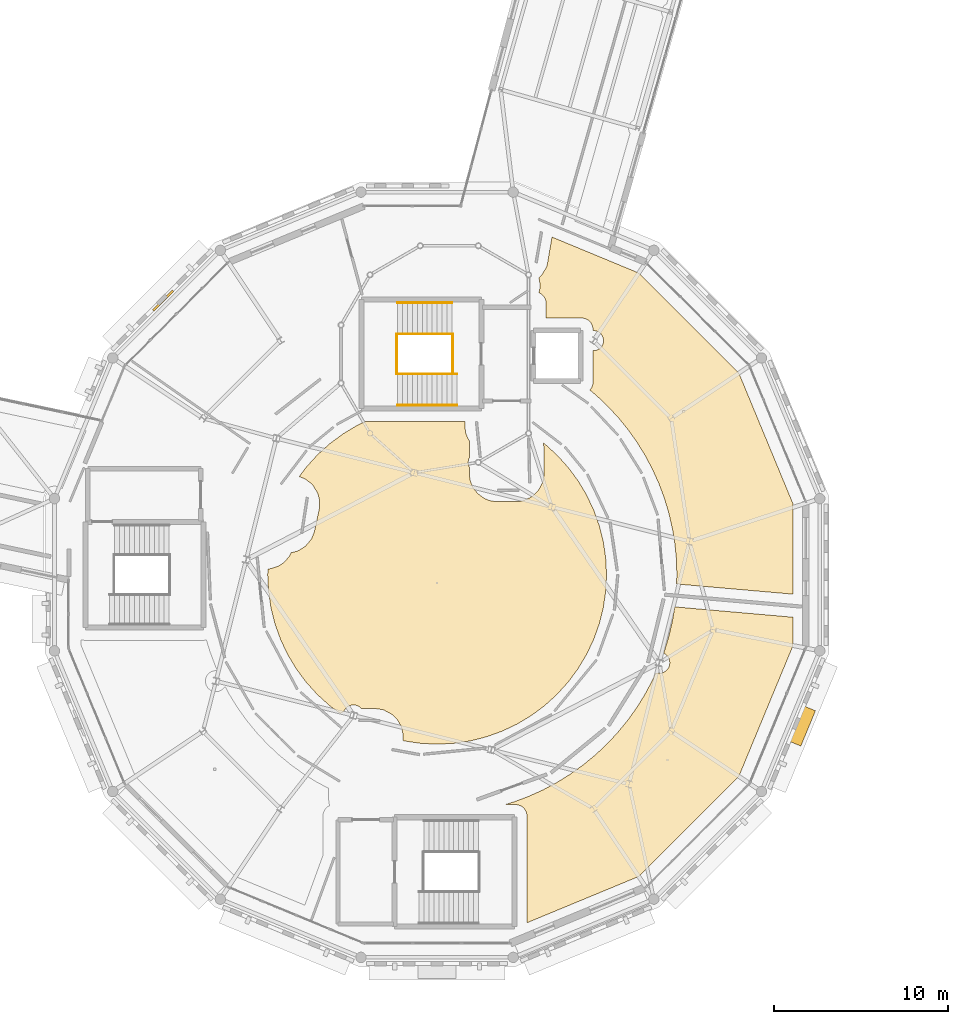
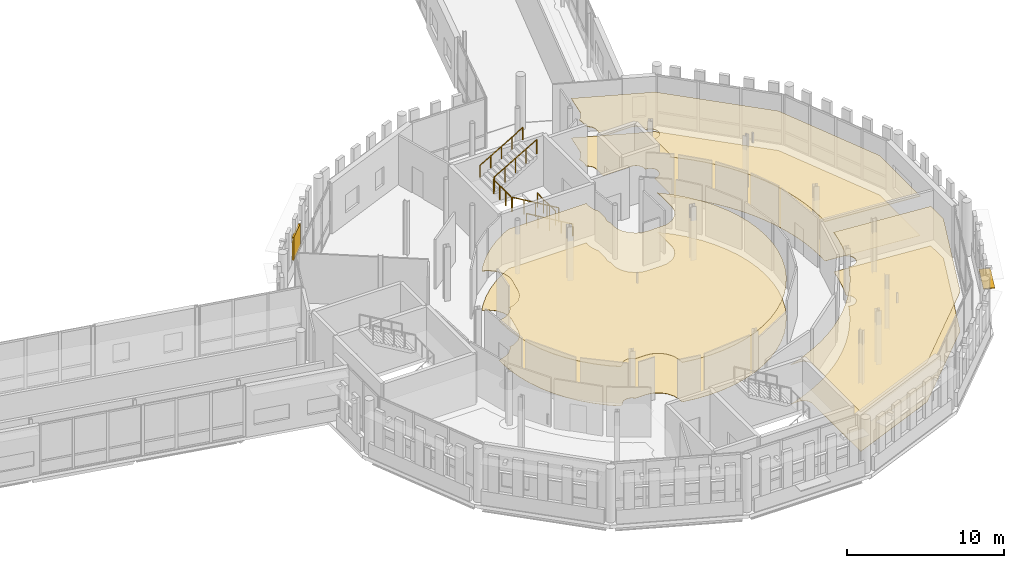
# One storey, part 123 of 125: 6 coverings, 6 railings, 2 shading devices.
"""IFC4 building model written with IfcOpenShell, lengths in metres."""

from ifc_helpers import new_model, si_unit, direction, frame, origin, origin_2d, place, context, subcontext, project, spatial, polyline, rectangle, circle, outline, extrude, material, layer, layer_set, type_object, element, save


model = new_model("IFC4")

# Units and contexts
model_context = context("Model", 3, precision=1e-05, world=origin(), true_north=direction((0.0, 1.0)))
body_context = subcontext(model_context, "Body", "Model", "MODEL_VIEW")
ifc_project = project(units=[si_unit("LENGTHUNIT", "METRE"), si_unit("AREAUNIT", "SQUARE_METRE"), si_unit("VOLUMEUNIT", "CUBIC_METRE"), si_unit("PLANEANGLEUNIT", "RADIAN"), si_unit("MASSUNIT", "GRAM", prefix="KILO")], contexts=[model_context])

# Site, building, storey
site_placement = place(None, origin())
site = spatial("IfcSite", under=ifc_project, at=site_placement, CompositionType="ELEMENT")
building_placement = place(site_placement, origin())
building = spatial("IfcBuilding", under=site, at=building_placement, Name="Wrenclough Park School", CompositionType="ELEMENT")
storey_placement = place(building_placement, frame((0.0, 0.0, 4.199951171875)))
storey = spatial("IfcBuildingStorey", under=building, at=storey_placement, Name="L01", CompositionType="ELEMENT", Elevation=4.199951171875)

# Shading devices
ifc_material_1 = material(Name="Perforated Manchester multi-stock and Staffordshire blue-grey brick screen", Category="masonry")
ifc_layer_1 = layer(ifc_material_1, 0.114990234375)
ifc_layer_set_1 = layer_set([ifc_layer_1], Name="Perforated Manchester multi-stock and Staffordshire blue-grey brick screen")
shading_device_type_1 = type_object("IfcShadingDeviceType", Name="ENV-BS-02", PredefinedType="USERDEFINED", material=ifc_layer_set_1)
shading_device_1_placement = place(storey_placement, frame((139.732666015625, 42.266845703125, 1.06982421875), z_axis=(0.0, 0.0, 1.0), x_axis=(-0.707106781187, -0.707106781187, 0.0)))
element("IfcShadingDevice", 1, at=shading_device_1_placement, inside=storey, type_object=shading_device_type_1, Name="D1 L01 acoustic open-bond brick baffle 013", ObjectType="PERFORATED BRICK SCREEN", PredefinedType="USERDEFINED", context=body_context, shape_type="SweptSolid", body=[
    extrude(rectangle(XDim=1.60009765625, YDim=0.114990234375, at=origin_2d()), origin(), (0.0, 0.0, 1.0), 1.800048828125),
])
ifc_material_2 = material(Name="Anodised extruded aluminium solar louvre", Category="aluminium")
ifc_layer_2 = layer(ifc_material_2, 0.06005859375)
ifc_layer_set_2 = layer_set([ifc_layer_2], Name="Anodised extruded aluminium solar louvre")
shading_device_type_2 = type_object("IfcShadingDeviceType", Name="ENV-SL-01", PredefinedType="JALOUSIE", material=ifc_layer_set_2)
shading_device_2_placement = place(storey_placement, frame((176.502685546875, 17.80029296875, 1.030029296875), z_axis=(0.0, 0.0, 1.0), x_axis=(0.382692183809, 0.923875907496, 0.0)))
element("IfcShadingDevice", 2, at=shading_device_2_placement, inside=storey, type_object=shading_device_type_2, Name="D1 L01 sun-side aluminium solar louvre 016", PredefinedType="JALOUSIE", context=body_context, shape_type="SweptSolid", body=[
    extrude(rectangle(XDim=2.199951171875, YDim=0.75, at=origin_2d()), origin(), (0.0, 0.0, 1.0), 0.06005859375),
])

# Coverings
ifc_material_3 = material(Name="Class A mineral-fibre acoustic ceiling raft", Category="gypsum")
ifc_layer_3 = layer(ifc_material_3, 0.044921875)
ifc_layer_set_3 = layer_set([ifc_layer_3], Name="Class A mineral-fibre acoustic ceiling raft")
covering_type_1 = type_object("IfcCoveringType", Name="INT-COV-CEIL", PredefinedType="CEILING", material=ifc_layer_set_3)
covering_1_placement = place(storey_placement, frame((0.0, 0.0, 3.054931640625)))
element("IfcCovering", 3, at=covering_1_placement, inside=storey, type_object=covering_type_1, Name="Sports Science Laboratory acoustic ceiling raft", PredefinedType="CEILING", context=body_context, shape_type="SweptSolid", body=[
    extrude(outline(polyline([(159.947509765625, 13.4375), (159.3994140625, 13.27001953125), (160.083740234375, 13.266845703125), (160.146728515625, 13.257568359375), (160.268798828125, 13.220458984375), (160.381103515625, 13.160400390625), (160.432373046875, 13.12255859375), (160.5224609375, 13.032470703125), (160.560546875, 12.981201171875), (160.62060546875, 12.86865234375), (160.657470703125, 12.746826171875), (160.6669921875, 12.68359375), (160.669921875, 6.4716796875), (167.102294921875, 9.135986328125), (172.864013671875, 14.897705078125), (175.982177734375, 22.42578125), (175.982177734375, 24.0556640625), (169.17431640625, 24.651123046875), (169.0361328125, 23.820556640625), (168.8427734375, 22.982177734375), (168.58251953125, 22.112060546875), (168.537109375, 21.987060546875), (168.622802734375, 21.940185546875), (168.714599609375, 21.86474609375), (168.7900390625, 21.772705078125), (168.84619140625, 21.66796875), (168.880615234375, 21.55419921875), (168.892333984375, 21.43603515625), (168.880615234375, 21.317626953125), (168.84619140625, 21.2041015625), (168.7900390625, 21.09912109375), (168.714599609375, 21.00732421875), (168.622802734375, 20.931884765625), (168.51806640625, 20.8759765625), (168.404296875, 20.84130859375), (168.285888671875, 20.82958984375), (168.167724609375, 20.84130859375), (168.088134765625, 20.86376953125), (167.851318359375, 20.34765625), (167.4462890625, 19.593994140625), (167.0029296875, 18.87841796875), (166.477783203125, 18.1396484375), (165.870361328125, 17.397216796875), (165.248291015625, 16.73388671875), (164.60400390625, 16.130615234375), (163.91015625, 15.560302734375), (163.17138671875, 15.0302734375), (162.393798828125, 14.546875), (161.591796875, 14.11865234375), (160.773681640625, 13.748779296875), (159.947509765625, 13.4375)])), origin(), (0.0, 0.0, 1.0), 0.045166015625),
])
covering_2_placement = place(storey_placement, frame((0.0, 0.0, 3.054931640625)))
element("IfcCovering", 4, at=covering_2_placement, inside=storey, type_object=covering_type_1, Name="PE Classroom 1 acoustic ceiling raft", PredefinedType="CEILING", context=body_context, shape_type="SweptSolid", body=[
    extrude(outline(polyline([(164.322509765625, 37.16748046875), (164.2880859375, 37.1298828125), (164.635986328125, 36.84130859375), (165.296142578125, 36.218017578125), (165.906494140625, 35.5615234375), (166.443603515625, 34.90478515625), (166.9794921875, 34.15673828125), (167.453857421875, 33.392578125), (167.873046875, 32.6083984375), (168.252685546875, 31.77001953125), (168.56884765625, 30.92822265625), (168.814697265625, 30.123291015625), (169.044189453125, 29.137939453125), (169.181640625, 28.293701171875), (169.265625, 27.4560546875), (169.298583984375, 26.493896484375), (169.275390625, 25.96728515625), (175.982177734375, 25.380615234375), (175.982177734375, 30.57421875), (172.864013671875, 38.102294921875), (167.102294921875, 43.864013671875), (162.1123046875, 45.930908203125), (161.84130859375, 44.356201171875), (161.80908203125, 44.23828125), (161.755615234375, 44.12841796875), (161.529296875, 43.7626953125), (161.489013671875, 43.714111328125), (161.35498046875, 43.589599609375), (161.400634765625, 43.37548828125), (161.4140625, 43.249267578125), (161.41259765625, 42.989013671875), (161.363037109375, 42.72216796875), (161.434814453125, 42.688720703125), (161.48828125, 42.65576171875), (161.58447265625, 42.57470703125), (161.626220703125, 42.527587890625), (161.6953125, 42.422607421875), (161.742919921875, 42.30615234375), (161.7578125, 42.2451171875), (161.77001953125, 42.1201171875), (161.77001953125, 41.27001953125), (163.820068359375, 41.27001953125), (163.8837890625, 41.266845703125), (164.0087890625, 41.241943359375), (164.12646484375, 41.193115234375), (164.18115234375, 41.160400390625), (164.279541015625, 41.07958984375), (164.360595703125, 40.981201171875), (164.393310546875, 40.926513671875), (164.44189453125, 40.80859375), (164.466796875, 40.68359375), (164.469970703125, 40.5458984375), (164.556640625, 40.54443359375), (164.612548828125, 40.5361328125), (164.66748046875, 40.5224609375), (164.772216796875, 40.47900390625), (164.82080078125, 40.449951171875), (164.908203125, 40.378173828125), (164.9462890625, 40.336181640625), (165.009033203125, 40.2421875), (165.052490234375, 40.1376953125), (165.066162109375, 40.08251953125), (165.074462890625, 40.026611328125), (165.074462890625, 39.913330078125), (165.052490234375, 39.802490234375), (165.033203125, 39.7490234375), (164.97998046875, 39.6494140625), (164.908203125, 39.561767578125), (164.8662109375, 39.523681640625), (164.772216796875, 39.4609375), (164.66748046875, 39.41748046875), (164.612548828125, 39.40380859375), (164.556640625, 39.3955078125), (164.469970703125, 39.394287109375), (164.466796875, 37.516357421875), (164.45751953125, 37.453125), (164.42041015625, 37.331298828125), (164.393310546875, 37.273681640625), (164.322509765625, 37.16748046875)])), origin(), (0.0, 0.0, 1.0), 0.045166015625),
])
covering_3_placement = place(storey_placement, frame((0.0, 0.0, 3.054931640625)))
element("IfcCovering", 5, at=covering_3_placement, inside=storey, type_object=covering_type_1, Name="Biomechanics Teaching Classroom acoustic ceiling raft", PredefinedType="CEILING", context=body_context, shape_type="SweptSolid", body=[
    extrude(outline(polyline([(145.815185546875, 26.826904296875), (145.7666015625, 26.82275390625), (145.750732421875, 26.5), (145.797607421875, 25.54443359375), (145.93798828125, 24.597900390625), (146.170654296875, 23.669921875), (146.492919921875, 22.769287109375), (146.90185546875, 21.904296875), (147.393798828125, 21.083740234375), (147.9638671875, 20.315185546875), (148.606201171875, 19.606201171875), (149.315185546875, 18.9638671875), (149.924560546875, 18.51171875), (150.010498046875, 18.56640625), (150.130126953125, 18.618408203125), (150.161376953125, 18.687744140625), (150.227294921875, 18.78662109375), (150.267333984375, 18.830810546875), (150.359130859375, 18.906005859375), (150.41015625, 18.936767578125), (150.52001953125, 18.982177734375), (150.63671875, 19.00537109375), (150.75537109375, 19.00537109375), (150.8720703125, 18.982177734375), (150.927978515625, 18.962158203125), (151.03271484375, 18.906005859375), (151.08056640625, 18.87060546875), (151.162841796875, 18.78857421875), (151.9541015625, 18.798583984375), (152.302490234375, 18.747802734375), (152.357666015625, 18.73681640625), (152.464599609375, 18.70068359375), (152.854248046875, 18.491455078125), (152.959716796875, 18.419921875), (153.142822265625, 18.23828125), (153.193603515625, 18.18017578125), (153.2373046875, 18.116455078125), (153.4091796875, 17.823486328125), (153.4521484375, 17.70361328125), (153.540771484375, 17.330810546875), (153.54736328125, 16.95068359375), (153.59814453125, 16.93798828125), (154.54443359375, 16.797607421875), (155.5, 16.750732421875), (156.45556640625, 16.797607421875), (157.402099609375, 16.93798828125), (158.330078125, 17.170654296875), (159.230712890625, 17.492919921875), (160.095703125, 17.90185546875), (160.916259765625, 18.393798828125), (161.684814453125, 18.9638671875), (162.393798828125, 19.606201171875), (163.0361328125, 20.315185546875), (163.606201171875, 21.083740234375), (164.09814453125, 21.904296875), (164.507080078125, 22.769287109375), (164.829345703125, 23.669921875), (165.06201171875, 24.597900390625), (165.202392578125, 25.54443359375), (165.249267578125, 26.5), (165.202392578125, 27.45556640625), (165.06201171875, 28.402099609375), (164.829345703125, 29.330078125), (164.507080078125, 30.230712890625), (164.09814453125, 31.095703125), (163.606201171875, 31.916259765625), (163.0361328125, 32.684814453125), (162.393798828125, 33.393798828125), (161.684814453125, 34.0361328125), (161.61474609375, 34.088134765625), (161.6259765625, 34.020263671875), (161.64990234375, 33.751708984375), (161.645751953125, 32.24853515625), (161.63330078125, 32.12353515625), (161.592529296875, 31.918701171875), (161.57958984375, 31.865478515625), (161.54052734375, 31.76318359375), (161.379150390625, 31.43798828125), (161.3369140625, 31.378662109375), (161.28857421875, 31.324462890625), (161.025634765625, 31.0615234375), (160.92919921875, 30.98193359375), (160.8193359375, 30.922607421875), (160.463623046875, 30.77197265625), (160.3447265625, 30.734619140625), (160.283203125, 30.724609375), (158.940185546875, 30.70166015625), (158.6142578125, 30.747802734375), (158.536376953125, 30.76416015625), (158.461181640625, 30.7900390625), (158.268310546875, 30.869873046875), (158.1708984375, 30.920166015625), (157.893798828125, 31.126220703125), (157.80224609375, 31.2099609375), (157.568603515625, 31.523681640625), (157.52001953125, 31.618408203125), (157.414306640625, 31.886474609375), (157.397705078125, 31.96435546875), (157.351806640625, 32.287109375), (157.352783203125, 32.701904296875), (157.31201171875, 32.801025390625), (157.298095703125, 32.8564453125), (157.287109375, 32.969970703125), (157.298095703125, 33.08349609375), (157.31201171875, 33.138916015625), (157.35400390625, 33.240478515625), (157.3505859375, 34.212646484375), (157.2724609375, 34.33447265625), (157.239990234375, 34.406982421875), (157.165771484375, 34.6044921875), (157.13623046875, 34.707763671875), (157.096923828125, 35.038330078125), (157.093017578125, 35.116455078125), (157.115966796875, 35.330078125), (151.394775390625, 35.330078125), (150.904296875, 35.09814453125), (150.083740234375, 34.606201171875), (149.315185546875, 34.0361328125), (148.606201171875, 33.393798828125), (147.9638671875, 32.684814453125), (147.564208984375, 32.146240234375), (147.81640625, 32.05078125), (147.9306640625, 31.994140625), (148.224609375, 31.771240234375), (148.28076171875, 31.72265625), (148.3310546875, 31.667724609375), (148.374755859375, 31.607421875), (148.611083984375, 31.231201171875), (148.6396484375, 31.164306640625), (148.66064453125, 31.094482421875), (148.72802734375, 30.81201171875), (148.744384765625, 30.70361328125), (148.74560546875, 30.64892578125), (148.74169921875, 30.440185546875), (148.727294921875, 30.315673828125), (148.449951171875, 29.028076171875), (148.420654296875, 28.929931640625), (148.28564453125, 28.5927734375), (148.248291015625, 28.5302734375), (148.2041015625, 28.472412109375), (147.962890625, 28.189453125), (147.912841796875, 28.13671875), (147.85693359375, 28.090087890625), (147.4873046875, 27.873291015625), (147.363525390625, 27.831298828125), (147.095947265625, 27.76953125), (147.022216796875, 27.610595703125), (146.989013671875, 27.557861328125), (146.762451171875, 27.28759765625), (146.6845703125, 27.21044921875), (146.64111328125, 27.177001953125), (146.470458984375, 27.05712890625), (146.3564453125, 26.993408203125), (145.927490234375, 26.852294921875), (145.815185546875, 26.826904296875)])), origin(), (0.0, 0.0, 1.0), 0.045166015625),
])
ifc_material_4 = material(Name="Acoustic natural linoleum school flooring", Category="wood")
ifc_layer_4 = layer(ifc_material_4, 0.014892578125)
ifc_layer_set_4 = layer_set([ifc_layer_4], Name="Acoustic natural linoleum school flooring")
covering_type_2 = type_object("IfcCoveringType", Name="INT-COV-FLOOR1", PredefinedType="FLOORING", material=ifc_layer_set_4)
covering_4_placement = place(storey_placement, origin())
element("IfcCovering", 6, at=covering_4_placement, inside=storey, type_object=covering_type_2, Name="Sports Science Laboratory floor finish", PredefinedType="FLOORING", context=body_context, shape_type="SweptSolid", body=[
    extrude(outline(polyline([(159.947509765625, 13.4375), (159.3994140625, 13.27001953125), (160.083740234375, 13.266845703125), (160.146728515625, 13.257568359375), (160.268798828125, 13.220458984375), (160.381103515625, 13.160400390625), (160.432373046875, 13.12255859375), (160.5224609375, 13.032470703125), (160.560546875, 12.981201171875), (160.62060546875, 12.86865234375), (160.657470703125, 12.746826171875), (160.6669921875, 12.68359375), (160.669921875, 6.4716796875), (167.102294921875, 9.135986328125), (172.864013671875, 14.897705078125), (175.982177734375, 22.42578125), (175.982177734375, 24.0556640625), (169.17431640625, 24.651123046875), (169.0361328125, 23.820556640625), (168.8427734375, 22.982177734375), (168.58251953125, 22.112060546875), (168.537109375, 21.987060546875), (168.622802734375, 21.940185546875), (168.714599609375, 21.86474609375), (168.7900390625, 21.772705078125), (168.84619140625, 21.66796875), (168.880615234375, 21.55419921875), (168.892333984375, 21.43603515625), (168.880615234375, 21.317626953125), (168.84619140625, 21.2041015625), (168.7900390625, 21.09912109375), (168.714599609375, 21.00732421875), (168.622802734375, 20.931884765625), (168.51806640625, 20.8759765625), (168.404296875, 20.84130859375), (168.285888671875, 20.82958984375), (168.167724609375, 20.84130859375), (168.088134765625, 20.86376953125), (167.851318359375, 20.34765625), (167.4462890625, 19.593994140625), (167.0029296875, 18.87841796875), (166.477783203125, 18.1396484375), (165.870361328125, 17.397216796875), (165.248291015625, 16.73388671875), (164.60400390625, 16.130615234375), (163.91015625, 15.560302734375), (163.17138671875, 15.0302734375), (162.393798828125, 14.546875), (161.591796875, 14.11865234375), (160.773681640625, 13.748779296875), (159.947509765625, 13.4375)])), origin(), (0.0, 0.0, 1.0), 0.01513671875),
])
covering_5_placement = place(storey_placement, origin())
element("IfcCovering", 7, at=covering_5_placement, inside=storey, type_object=covering_type_2, Name="PE Classroom 1 floor finish", PredefinedType="FLOORING", context=body_context, shape_type="SweptSolid", body=[
    extrude(outline(polyline([(164.322509765625, 37.16748046875), (164.2880859375, 37.1298828125), (164.635986328125, 36.84130859375), (165.296142578125, 36.218017578125), (165.906494140625, 35.5615234375), (166.443603515625, 34.90478515625), (166.9794921875, 34.15673828125), (167.453857421875, 33.392578125), (167.873046875, 32.6083984375), (168.252685546875, 31.77001953125), (168.56884765625, 30.92822265625), (168.814697265625, 30.123291015625), (169.044189453125, 29.137939453125), (169.181640625, 28.293701171875), (169.265625, 27.4560546875), (169.298583984375, 26.493896484375), (169.275390625, 25.96728515625), (175.982177734375, 25.380615234375), (175.982177734375, 30.57421875), (172.864013671875, 38.102294921875), (167.102294921875, 43.864013671875), (162.1123046875, 45.930908203125), (161.84130859375, 44.356201171875), (161.80908203125, 44.23828125), (161.755615234375, 44.12841796875), (161.529296875, 43.7626953125), (161.489013671875, 43.714111328125), (161.35498046875, 43.589599609375), (161.400634765625, 43.37548828125), (161.4140625, 43.249267578125), (161.41259765625, 42.989013671875), (161.363037109375, 42.72216796875), (161.434814453125, 42.688720703125), (161.48828125, 42.65576171875), (161.58447265625, 42.57470703125), (161.626220703125, 42.527587890625), (161.6953125, 42.422607421875), (161.742919921875, 42.30615234375), (161.7578125, 42.2451171875), (161.77001953125, 42.1201171875), (161.77001953125, 41.27001953125), (163.820068359375, 41.27001953125), (163.8837890625, 41.266845703125), (164.0087890625, 41.241943359375), (164.12646484375, 41.193115234375), (164.18115234375, 41.160400390625), (164.279541015625, 41.07958984375), (164.360595703125, 40.981201171875), (164.393310546875, 40.926513671875), (164.44189453125, 40.80859375), (164.466796875, 40.68359375), (164.469970703125, 40.5458984375), (164.556640625, 40.54443359375), (164.612548828125, 40.5361328125), (164.66748046875, 40.5224609375), (164.772216796875, 40.47900390625), (164.82080078125, 40.449951171875), (164.908203125, 40.378173828125), (164.9462890625, 40.336181640625), (165.009033203125, 40.2421875), (165.052490234375, 40.1376953125), (165.066162109375, 40.08251953125), (165.074462890625, 40.026611328125), (165.074462890625, 39.913330078125), (165.052490234375, 39.802490234375), (165.033203125, 39.7490234375), (164.97998046875, 39.6494140625), (164.908203125, 39.561767578125), (164.8662109375, 39.523681640625), (164.772216796875, 39.4609375), (164.66748046875, 39.41748046875), (164.612548828125, 39.40380859375), (164.556640625, 39.3955078125), (164.469970703125, 39.394287109375), (164.466796875, 37.516357421875), (164.45751953125, 37.453125), (164.42041015625, 37.331298828125), (164.393310546875, 37.273681640625), (164.322509765625, 37.16748046875)])), origin(), (0.0, 0.0, 1.0), 0.01513671875),
])
covering_6_placement = place(storey_placement, origin())
element("IfcCovering", 8, at=covering_6_placement, inside=storey, type_object=covering_type_2, Name="Biomechanics Teaching Classroom floor finish", PredefinedType="FLOORING", context=body_context, shape_type="SweptSolid", body=[
    extrude(outline(polyline([(145.815185546875, 26.826904296875), (145.7666015625, 26.82275390625), (145.750732421875, 26.5), (145.797607421875, 25.54443359375), (145.93798828125, 24.597900390625), (146.170654296875, 23.669921875), (146.492919921875, 22.769287109375), (146.90185546875, 21.904296875), (147.393798828125, 21.083740234375), (147.9638671875, 20.315185546875), (148.606201171875, 19.606201171875), (149.315185546875, 18.9638671875), (149.924560546875, 18.51171875), (150.010498046875, 18.56640625), (150.130126953125, 18.618408203125), (150.161376953125, 18.687744140625), (150.227294921875, 18.78662109375), (150.267333984375, 18.830810546875), (150.359130859375, 18.906005859375), (150.41015625, 18.936767578125), (150.52001953125, 18.982177734375), (150.63671875, 19.00537109375), (150.75537109375, 19.00537109375), (150.8720703125, 18.982177734375), (150.927978515625, 18.962158203125), (151.03271484375, 18.906005859375), (151.08056640625, 18.87060546875), (151.162841796875, 18.78857421875), (151.9541015625, 18.798583984375), (152.302490234375, 18.747802734375), (152.357666015625, 18.73681640625), (152.464599609375, 18.70068359375), (152.854248046875, 18.491455078125), (152.959716796875, 18.419921875), (153.142822265625, 18.23828125), (153.193603515625, 18.18017578125), (153.2373046875, 18.116455078125), (153.4091796875, 17.823486328125), (153.4521484375, 17.70361328125), (153.540771484375, 17.330810546875), (153.54736328125, 16.95068359375), (153.59814453125, 16.93798828125), (154.54443359375, 16.797607421875), (155.5, 16.750732421875), (156.45556640625, 16.797607421875), (157.402099609375, 16.93798828125), (158.330078125, 17.170654296875), (159.230712890625, 17.492919921875), (160.095703125, 17.90185546875), (160.916259765625, 18.393798828125), (161.684814453125, 18.9638671875), (162.393798828125, 19.606201171875), (163.0361328125, 20.315185546875), (163.606201171875, 21.083740234375), (164.09814453125, 21.904296875), (164.507080078125, 22.769287109375), (164.829345703125, 23.669921875), (165.06201171875, 24.597900390625), (165.202392578125, 25.54443359375), (165.249267578125, 26.5), (165.202392578125, 27.45556640625), (165.06201171875, 28.402099609375), (164.829345703125, 29.330078125), (164.507080078125, 30.230712890625), (164.09814453125, 31.095703125), (163.606201171875, 31.916259765625), (163.0361328125, 32.684814453125), (162.393798828125, 33.393798828125), (161.684814453125, 34.0361328125), (161.61474609375, 34.088134765625), (161.6259765625, 34.020263671875), (161.64990234375, 33.751708984375), (161.645751953125, 32.24853515625), (161.63330078125, 32.12353515625), (161.592529296875, 31.918701171875), (161.57958984375, 31.865478515625), (161.54052734375, 31.76318359375), (161.379150390625, 31.43798828125), (161.3369140625, 31.378662109375), (161.28857421875, 31.324462890625), (161.025634765625, 31.0615234375), (160.92919921875, 30.98193359375), (160.8193359375, 30.922607421875), (160.463623046875, 30.77197265625), (160.3447265625, 30.734619140625), (160.283203125, 30.724609375), (158.940185546875, 30.70166015625), (158.6142578125, 30.747802734375), (158.536376953125, 30.76416015625), (158.461181640625, 30.7900390625), (158.268310546875, 30.869873046875), (158.1708984375, 30.920166015625), (157.893798828125, 31.126220703125), (157.80224609375, 31.2099609375), (157.568603515625, 31.523681640625), (157.52001953125, 31.618408203125), (157.414306640625, 31.886474609375), (157.397705078125, 31.96435546875), (157.351806640625, 32.287109375), (157.352783203125, 32.701904296875), (157.31201171875, 32.801025390625), (157.298095703125, 32.8564453125), (157.287109375, 32.969970703125), (157.298095703125, 33.08349609375), (157.31201171875, 33.138916015625), (157.35400390625, 33.240478515625), (157.3505859375, 34.212646484375), (157.2724609375, 34.33447265625), (157.239990234375, 34.406982421875), (157.165771484375, 34.6044921875), (157.13623046875, 34.707763671875), (157.096923828125, 35.038330078125), (157.093017578125, 35.116455078125), (157.115966796875, 35.330078125), (151.394775390625, 35.330078125), (150.904296875, 35.09814453125), (150.083740234375, 34.606201171875), (149.315185546875, 34.0361328125), (148.606201171875, 33.393798828125), (147.9638671875, 32.684814453125), (147.564208984375, 32.146240234375), (147.81640625, 32.05078125), (147.9306640625, 31.994140625), (148.224609375, 31.771240234375), (148.28076171875, 31.72265625), (148.3310546875, 31.667724609375), (148.374755859375, 31.607421875), (148.611083984375, 31.231201171875), (148.6396484375, 31.164306640625), (148.66064453125, 31.094482421875), (148.72802734375, 30.81201171875), (148.744384765625, 30.70361328125), (148.74560546875, 30.64892578125), (148.74169921875, 30.440185546875), (148.727294921875, 30.315673828125), (148.449951171875, 29.028076171875), (148.420654296875, 28.929931640625), (148.28564453125, 28.5927734375), (148.248291015625, 28.5302734375), (148.2041015625, 28.472412109375), (147.962890625, 28.189453125), (147.912841796875, 28.13671875), (147.85693359375, 28.090087890625), (147.4873046875, 27.873291015625), (147.363525390625, 27.831298828125), (147.095947265625, 27.76953125), (147.022216796875, 27.610595703125), (146.989013671875, 27.557861328125), (146.762451171875, 27.28759765625), (146.6845703125, 27.21044921875), (146.64111328125, 27.177001953125), (146.470458984375, 27.05712890625), (146.3564453125, 26.993408203125), (145.927490234375, 26.852294921875), (145.815185546875, 26.826904296875)])), origin(), (0.0, 0.0, 1.0), 0.01513671875),
])

# Railings
ifc_material_5 = material(Name="Powder-coated steel vertical-baluster stair and atrium guard", Category="steel")
railing_type_1 = type_object("IfcRailingType", Name="INT-RL-GD1120", PredefinedType="GUARDRAIL", material=ifc_material_5)
railing_1_placement = place(storey_placement, frame((156.39501953125, 38.050048828125, 0.0)))
element("IfcRailing", 9, at=railing_1_placement, inside=storey, type_object=railing_type_1, Name="ST-01 L01 well guard 1", PredefinedType="GUARDRAIL", context=body_context, shape_type="SweptSolid", body=[
    extrude(circle(Radius=0.02392578125, at=origin_2d()), frame((0.0, 0.0, 1.09619140625), z_axis=(0.0, 1.0, 0.0), x_axis=(-1.0, 0.0, 0.0)), (0.0, 0.0, 1.0), 2.300048828125),
    extrude(circle(Radius=0.02099609375, at=origin_2d()), origin(), (0.0, 0.0, 1.0), 1.072021484375),
    extrude(circle(Radius=0.02099609375, at=origin_2d()), frame((0.0, 0.7666015625, 0.0)), (0.0, 0.0, 1.0), 1.072021484375),
    extrude(circle(Radius=0.02099609375, at=origin_2d()), frame((0.0, 1.533447265625, 0.0)), (0.0, 0.0, 1.0), 1.072021484375),
    extrude(circle(Radius=0.02099609375, at=origin_2d()), frame((0.0, 2.300048828125, 0.0)), (0.0, 0.0, 1.0), 1.072021484375),
])
railing_2_placement = place(storey_placement, frame((156.639892578125, 38.050048828125, 0.16796875)))
element("IfcRailing", 10, at=railing_2_placement, inside=storey, type_object=railing_type_1, Name="ST-01 L01 well guard 2", PredefinedType="GUARDRAIL", context=body_context, shape_type="SweptSolid", body=[
    extrude(circle(Radius=0.02392578125, at=origin_2d()), frame((0.0, 0.0, 1.09619140625), z_axis=(-0.861450067461, 0.0, 0.507842279918), x_axis=(0.0, -1.0, 0.0)), (0.0, 0.0, 1.0), 3.969970703125),
    extrude(circle(Radius=0.02099609375, at=origin_2d()), origin(), (0.0, 0.0, 1.0), 1.072021484375),
    extrude(circle(Radius=0.02099609375, at=origin_2d()), frame((-0.85498046875, 0.0, 0.50390625)), (0.0, 0.0, 1.0), 1.072021484375),
    extrude(circle(Radius=0.02099609375, at=origin_2d()), frame((-1.7099609375, 0.0, 1.008056640625)), (0.0, 0.0, 1.0), 1.072021484375),
    extrude(circle(Radius=0.02099609375, at=origin_2d()), frame((-2.56494140625, 0.0, 1.51220703125)), (0.0, 0.0, 1.0), 1.072021484375),
    extrude(circle(Radius=0.02099609375, at=origin_2d()), frame((-3.419921875, 0.0, 2.01611328125)), (0.0, 0.0, 1.0), 1.072021484375),
])
railing_3_placement = place(storey_placement, frame((153.179931640625, 38.050048828125, 2.18408203125)))
element("IfcRailing", 11, at=railing_3_placement, inside=storey, type_object=railing_type_1, Name="ST-01 L01 well guard 3", PredefinedType="GUARDRAIL", context=body_context, shape_type="SweptSolid", body=[
    extrude(circle(Radius=0.02392578125, at=origin_2d()), frame((0.0, 0.0, 1.09619140625), z_axis=(0.0, 1.0, 0.0), x_axis=(-1.0, 0.0, 0.0)), (0.0, 0.0, 1.0), 2.300048828125),
    extrude(circle(Radius=0.02099609375, at=origin_2d()), origin(), (0.0, 0.0, 1.0), 1.072021484375),
    extrude(circle(Radius=0.02099609375, at=origin_2d()), frame((0.0, 0.7666015625, 0.0)), (0.0, 0.0, 1.0), 1.072021484375),
    extrude(circle(Radius=0.02099609375, at=origin_2d()), frame((0.0, 1.533447265625, 0.0)), (0.0, 0.0, 1.0), 1.072021484375),
    extrude(circle(Radius=0.02099609375, at=origin_2d()), frame((0.0, 2.300048828125, 0.0)), (0.0, 0.0, 1.0), 1.072021484375),
])
railing_4_placement = place(storey_placement, frame((153.219970703125, 40.35009765625, 2.35205078125)))
element("IfcRailing", 12, at=railing_4_placement, inside=storey, type_object=railing_type_1, Name="ST-01 L01 well guard 4", PredefinedType="GUARDRAIL", context=body_context, shape_type="SweptSolid", body=[
    extrude(circle(Radius=0.02392578125, at=origin_2d()), frame((0.0, 0.0, 1.09619140625), z_axis=(0.861480291558, 0.0, 0.50779100746), x_axis=(0.0, 1.0, 0.0)), (0.0, 0.0, 1.0), 3.63916015625),
    extrude(circle(Radius=0.02099609375, at=origin_2d()), origin(), (0.0, 0.0, 1.0), 1.072021484375),
    extrude(circle(Radius=0.02099609375, at=origin_2d()), frame((0.78369140625, 0.0, 0.4619140625)), (0.0, 0.0, 1.0), 1.072021484375),
    extrude(circle(Radius=0.02099609375, at=origin_2d()), frame((1.5673828125, 0.0, 0.923828125)), (0.0, 0.0, 1.0), 1.072021484375),
    extrude(circle(Radius=0.02099609375, at=origin_2d()), frame((2.351318359375, 0.0, 1.385986328125)), (0.0, 0.0, 1.0), 1.072021484375),
    extrude(circle(Radius=0.02099609375, at=origin_2d()), frame((3.135009765625, 0.0, 1.847900390625)), (0.0, 0.0, 1.0), 1.072021484375),
])
ifc_material_6 = material(Name="Brushed stainless steel tubular handrail", Category="steel")
railing_type_2 = type_object("IfcRailingType", Name="INT-RL-HR950", PredefinedType="HANDRAIL", material=ifc_material_6)
railing_5_placement = place(storey_placement, frame((156.639892578125, 36.25, 0.16796875)))
element("IfcRailing", 13, at=railing_5_placement, inside=storey, type_object=railing_type_2, Name="ST-01 L01 pitch handrail 1", PredefinedType="HANDRAIL", context=body_context, shape_type="SweptSolid", body=[
    extrude(circle(Radius=0.02392578125, at=origin_2d()), frame((0.0, 0.0, 0.92578125), z_axis=(-0.861450067461, 0.0, 0.507842279918), x_axis=(0.0, -1.0, 0.0)), (0.0, 0.0, 1.0), 3.969970703125),
    extrude(circle(Radius=0.02099609375, at=origin_2d()), origin(), (0.0, 0.0, 1.0), 0.90185546875),
    extrude(circle(Radius=0.02099609375, at=origin_2d()), frame((-0.85498046875, 0.0, 0.50390625)), (0.0, 0.0, 1.0), 0.90185546875),
    extrude(circle(Radius=0.02099609375, at=origin_2d()), frame((-1.7099609375, 0.0, 1.008056640625)), (0.0, 0.0, 1.0), 0.90185546875),
    extrude(circle(Radius=0.02099609375, at=origin_2d()), frame((-2.56494140625, 0.0, 1.51220703125)), (0.0, 0.0, 1.0), 0.90185546875),
    extrude(circle(Radius=0.02099609375, at=origin_2d()), frame((-3.419921875, 0.0, 2.01611328125)), (0.0, 0.0, 1.0), 0.90185546875),
])
railing_6_placement = place(storey_placement, frame((153.219970703125, 42.14990234375, 2.35205078125)))
element("IfcRailing", 14, at=railing_6_placement, inside=storey, type_object=railing_type_2, Name="ST-01 L01 pitch handrail 2", PredefinedType="HANDRAIL", context=body_context, shape_type="SweptSolid", body=[
    extrude(circle(Radius=0.02392578125, at=origin_2d()), frame((0.0, 0.0, 0.92578125), z_axis=(0.861480291558, 0.0, 0.50779100746), x_axis=(0.0, 1.0, 0.0)), (0.0, 0.0, 1.0), 3.63916015625),
    extrude(circle(Radius=0.02099609375, at=origin_2d()), origin(), (0.0, 0.0, 1.0), 0.90185546875),
    extrude(circle(Radius=0.02099609375, at=origin_2d()), frame((0.78369140625, 0.0, 0.4619140625)), (0.0, 0.0, 1.0), 0.90185546875),
    extrude(circle(Radius=0.02099609375, at=origin_2d()), frame((1.5673828125, 0.0, 0.923828125)), (0.0, 0.0, 1.0), 0.90185546875),
    extrude(circle(Radius=0.02099609375, at=origin_2d()), frame((2.351318359375, 0.0, 1.385986328125)), (0.0, 0.0, 1.0), 0.90185546875),
    extrude(circle(Radius=0.02099609375, at=origin_2d()), frame((3.135009765625, 0.0, 1.847900390625)), (0.0, 0.0, 1.0), 0.90185546875),
])

save(model, "model.ifc")
